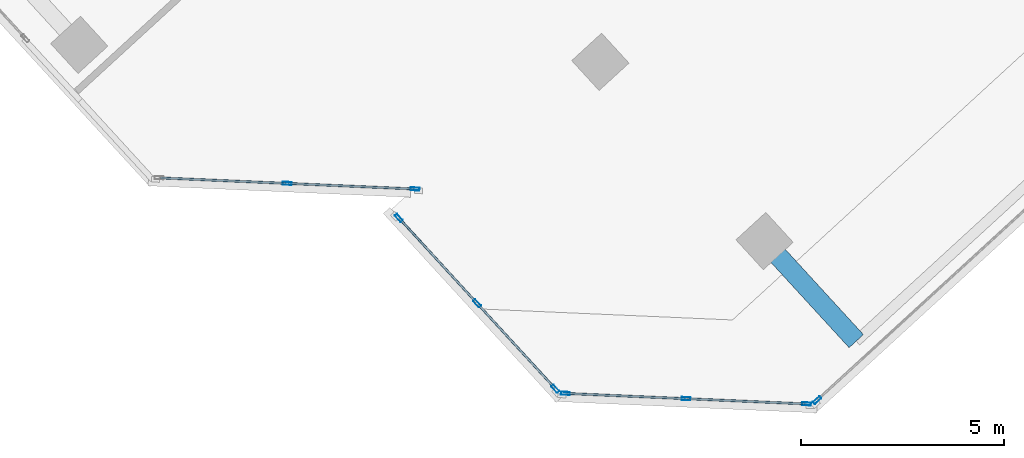
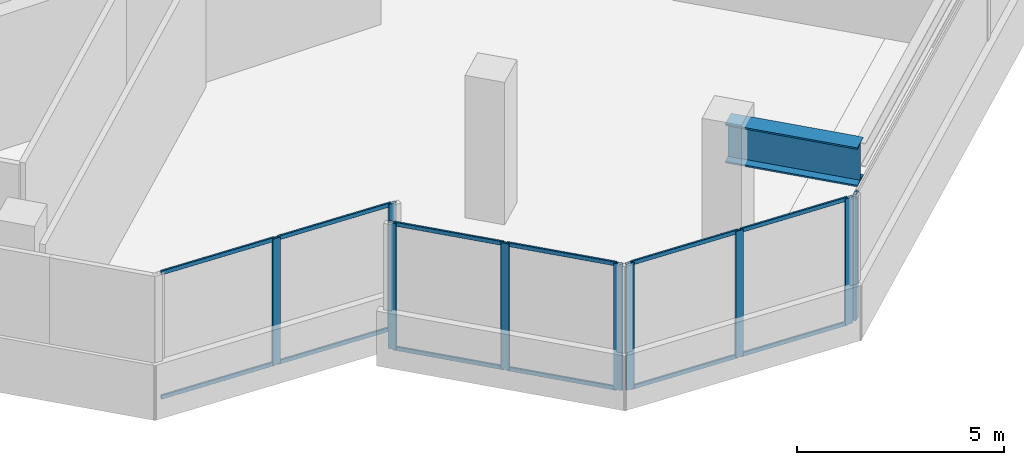
# One storey, part 3 of 18: 21 members, 1 beam, 4 elements without a shape of their own.
"""IFC4 building model written with IfcOpenShell, lengths in metres."""

from ifc_helpers import new_model, si_unit, direction, frame, origin, origin_2d, place, context, subcontext, project, spatial, hollow_rectangle, i_section, extrude, source, transform, mapped, material, material_profile, profile_set, type_object, element, aggregate, save


model = new_model("IFC4")

# Units and contexts
model_context = context("Model", 3, precision=1e-05, world=origin(), true_north=direction((0.0, 1.0)))
body_context = subcontext(model_context, "Body", "Model", "MODEL_VIEW")
ifc_project = project(units=[si_unit("LENGTHUNIT", "METRE"), si_unit("AREAUNIT", "SQUARE_METRE"), si_unit("VOLUMEUNIT", "CUBIC_METRE"), si_unit("PLANEANGLEUNIT", "RADIAN"), si_unit("MASSUNIT", "GRAM", prefix="KILO")], contexts=[model_context])

# Site, building, storey
site_placement = place(None, origin())
site = spatial("IfcSite", under=ifc_project, at=site_placement, CompositionType="ELEMENT")
building_placement = place(site_placement, origin())
building = spatial("IfcBuilding", under=site, at=building_placement, Name="Torre Montelarca", CompositionType="ELEMENT")
storey_placement = place(building_placement, frame((0.0, 0.0, 258.39990234375)))
storey = spatial("IfcBuildingStorey", under=building, at=storey_placement, Name="L58", CompositionType="ELEMENT", Elevation=258.39990234375)

# Beam
ifc_material_1 = material(Name="Steel ASTM A572 Grade 50", Category="steel")
ifc_material_profile_1 = material_profile(ifc_material_1, i_section(OverallWidth=0.47998046875, OverallDepth=1.14990234375, WebThickness=0.02197265625, FlangeThickness=0.044921875, at=origin_2d()), Name="PG1150X480X22X45", Category="steel")
ifc_profile_set_1 = profile_set([ifc_material_profile_1], Name="Steel ASTM A572 Grade 50")
beam_type = type_object("IfcBeamType", Name="BM-CG-PG1400-EXT", PredefinedType="USERDEFINED", material=ifc_profile_set_1)
shared_shape_1 = source(origin(), body_context, "Body", "SweptSolid", [
    extrude(i_section(OverallWidth=0.47998046875, OverallDepth=1.14990234375, WebThickness=0.02197265625, FlangeThickness=0.044921875, at=origin_2d()), origin(), (0.0, 0.0, 1.0), 3.35009765625),
])
beam_placement = place(storey_placement, frame((29.451416015625, 11.481201171875, 3.385009765625), z_axis=(0.675569509367, -0.737296302726, 0.0), x_axis=(0.737296302726, 0.675569509367, 0.0)))
element("IfcBeam", 1, at=beam_placement, inside=storey, type_object=beam_type, Name="L58 Sliding Tray Cantilever Girder East Y=24m (FLR)", ObjectType="CANTILEVER GIRDER", PredefinedType="USERDEFINED", context=body_context, shape_type="MappedRepresentation", body=[
    mapped(shared_shape_1, transform((0.0, 0.0, 0.0), scale=1.0)),
])

# Curtain wall, members
ifc_material_2 = material(Name="Insulated low-E laminated glass", Category="glass")
curtain_wall_type = type_object("IfcCurtainWallType", Name="CW-SYS-Z3", PredefinedType="USERDEFINED", material=ifc_material_2)
curtain_wall_1_placement = place(storey_placement, origin())
curtain_wall_1 = element("IfcCurtainWall", 2, at=curtain_wall_1_placement, inside=storey, type_object=curtain_wall_type, Name="L58 Curtain Wall Run CW-T3-L58-E02-B1", ObjectType="UNITISED GLAZING", PredefinedType="USERDEFINED")
ifc_material_3 = material(Name="Anodised aluminium AA 6063-T6", Category="aluminium")
ifc_material_profile_2 = material_profile(ifc_material_3, hollow_rectangle(XDim=0.054931640625, YDim=0.1201171875, WallThickness=0.00341796875, InnerFilletRadius=0.00341796875, OuterFilletRadius=0.007080078125, at=origin_2d()), Name="ALU55X120X3.5", Category="aluminium")
ifc_profile_set_2 = profile_set([ifc_material_profile_2], Name="Anodised aluminium AA 6063-T6")
member_type_1 = type_object("IfcMemberType", Name="CWT-ALU120", PredefinedType="USERDEFINED", material=ifc_profile_set_2)
shared_shape_2 = source(origin(), body_context, "Body", "SweptSolid", [
    extrude(hollow_rectangle(XDim=0.054931640625, YDim=0.1201171875, WallThickness=0.00341796875, InnerFilletRadius=0.00341796875, OuterFilletRadius=0.007080078125, at=origin_2d()), origin(), (0.0, 0.0, 1.0), 3.08740234375),
])
member_1_placement = place(storey_placement, frame((17.702880859375, 12.90283203125, 0.027587890625), z_axis=(0.999046885294, -0.043649982641, 0.0), x_axis=(0.043649982641, 0.999046885294, 0.0)))
member_1 = element("IfcMember", 3, at=member_1_placement, type_object=member_type_1, Name="CW transom 2.1", ObjectType="TRANSOM", PredefinedType="USERDEFINED", context=body_context, shape_type="MappedRepresentation", body=[
    mapped(shared_shape_2, transform((0.0, 0.0, 0.0), scale=1.0)),
])
member_2_placement = place(storey_placement, frame((17.702880859375, 12.90283203125, 3.692626953125), z_axis=(0.999046885294, -0.043649982641, 0.0), x_axis=(0.043649982641, 0.999046885294, 0.0)))
member_2 = element("IfcMember", 4, at=member_2_placement, type_object=member_type_1, Name="CW transom 2.2", ObjectType="TRANSOM", PredefinedType="USERDEFINED", context=body_context, shape_type="MappedRepresentation", body=[
    mapped(shared_shape_2, transform((0.0, 0.0, 0.0), scale=1.0)),
])

curtain_wall_2_placement = place(storey_placement, origin())
curtain_wall_2 = element("IfcCurtainWall", 5, at=curtain_wall_2_placement, inside=storey, type_object=curtain_wall_type, Name="L58 Curtain Wall Run CW-T3-L58-E05-B1", ObjectType="UNITISED GLAZING", PredefinedType="USERDEFINED")
shared_shape_3 = source(origin(), body_context, "Body", "SweptSolid", [
    extrude(hollow_rectangle(XDim=0.054931640625, YDim=0.1201171875, WallThickness=0.00341796875, InnerFilletRadius=0.00341796875, OuterFilletRadius=0.007080078125, at=origin_2d()), origin(), (0.0, 0.0, 1.0), 2.903564453125),
])
member_3_placement = place(storey_placement, frame((24.57373046875, 7.718994140625, 0.027587890625), z_axis=(0.999047412839, -0.043637906688, 0.0), x_axis=(0.043637906688, 0.999047412839, 0.0)))
member_3 = element("IfcMember", 6, at=member_3_placement, type_object=member_type_1, Name="CW transom 1.1", ObjectType="TRANSOM", PredefinedType="USERDEFINED", context=body_context, shape_type="MappedRepresentation", body=[
    mapped(shared_shape_3, transform((0.0, 0.0, 0.0), scale=1.0)),
])
member_4_placement = place(storey_placement, frame((24.57373046875, 7.718994140625, 3.692626953125), z_axis=(0.999047412839, -0.043637906688, 0.0), x_axis=(0.043637906688, 0.999047412839, 0.0)))
member_4 = element("IfcMember", 7, at=member_4_placement, type_object=member_type_1, Name="CW transom 1.2", ObjectType="TRANSOM", PredefinedType="USERDEFINED", context=body_context, shape_type="MappedRepresentation", body=[
    mapped(shared_shape_3, transform((0.0, 0.0, 0.0), scale=1.0)),
])
member_5_placement = place(storey_placement, frame((27.549560546875, 7.589111328125, 0.027587890625), z_axis=(0.999047412839, -0.043637906688, 0.0), x_axis=(0.043637906688, 0.999047412839, 0.0)))
member_5 = element("IfcMember", 8, at=member_5_placement, type_object=member_type_1, Name="CW transom 2.1", ObjectType="TRANSOM", PredefinedType="USERDEFINED", context=body_context, shape_type="MappedRepresentation", body=[
    mapped(shared_shape_3, transform((0.0, 0.0, 0.0), scale=1.0)),
])
member_6_placement = place(storey_placement, frame((27.549560546875, 7.589111328125, 3.692626953125), z_axis=(0.999047412839, -0.043637906688, 0.0), x_axis=(0.043637906688, 0.999047412839, 0.0)))
member_6 = element("IfcMember", 9, at=member_6_placement, type_object=member_type_1, Name="CW transom 2.2", ObjectType="TRANSOM", PredefinedType="USERDEFINED", context=body_context, shape_type="MappedRepresentation", body=[
    mapped(shared_shape_3, transform((0.0, 0.0, 0.0), scale=1.0)),
])

curtain_wall_3_placement = place(storey_placement, origin())
curtain_wall_3 = element("IfcCurtainWall", 10, at=curtain_wall_3_placement, inside=storey, type_object=curtain_wall_type, Name="L58 Curtain Wall Run CW-T3-L58-E04-B1", ObjectType="UNITISED GLAZING", PredefinedType="USERDEFINED")
shared_shape_4 = source(origin(), body_context, "Body", "SweptSolid", [
    extrude(hollow_rectangle(XDim=0.054931640625, YDim=0.1201171875, WallThickness=0.00341796875, InnerFilletRadius=0.00341796875, OuterFilletRadius=0.007080078125, at=origin_2d()), origin(), (0.0, 0.0, 1.0), 2.78369140625),
])
member_7_placement = place(storey_placement, frame((22.380126953125, 9.917236328125, 0.027587890625), z_axis=(0.675605470832, -0.737263350359, 0.0), x_axis=(0.737263350359, 0.675605470832, 0.0)))
member_7 = element("IfcMember", 11, at=member_7_placement, type_object=member_type_1, Name="CW transom 2.1", ObjectType="TRANSOM", PredefinedType="USERDEFINED", context=body_context, shape_type="MappedRepresentation", body=[
    mapped(shared_shape_4, transform((0.0, 0.0, 0.0), scale=1.0)),
])
member_8_placement = place(storey_placement, frame((22.380126953125, 9.917236328125, 3.692626953125), z_axis=(0.675605470832, -0.737263350359, 0.0), x_axis=(0.737263350359, 0.675605470832, 0.0)))
member_8 = element("IfcMember", 12, at=member_8_placement, type_object=member_type_1, Name="CW transom 2.2", ObjectType="TRANSOM", PredefinedType="USERDEFINED", context=body_context, shape_type="MappedRepresentation", body=[
    mapped(shared_shape_4, transform((0.0, 0.0, 0.0), scale=1.0)),
])

# Member
ifc_material_profile_3 = material_profile(ifc_material_3, hollow_rectangle(XDim=0.074951171875, YDim=0.219970703125, WallThickness=0.0048828125, InnerFilletRadius=0.0048828125, OuterFilletRadius=0.010009765625, at=origin_2d()), Name="ALU75X220X5", Category="aluminium")
ifc_profile_set_3 = profile_set([ifc_material_profile_3], Name="Anodised aluminium AA 6063-T6")
member_type_2 = type_object("IfcMemberType", Name="CWM-ALU220", PredefinedType="MULLION", material=ifc_profile_set_3)
shared_shape_5 = source(origin(), body_context, "Body", "SweptSolid", [
    extrude(hollow_rectangle(XDim=0.074951171875, YDim=0.219970703125, WallThickness=0.0048828125, InnerFilletRadius=0.0048828125, OuterFilletRadius=0.010009765625, at=origin_2d()), origin(), (0.0, 0.0, 1.0), 3.72021484375),
])
member_9_placement = place(storey_placement, frame((17.665283203125, 12.904296875, 0.0), z_axis=(0.0, 0.0, 1.0), x_axis=(0.043610133473, 0.999048625573, 0.0)))
member_9 = element("IfcMember", 13, at=member_9_placement, type_object=member_type_2, Name="CW mullion 2", PredefinedType="MULLION", context=body_context, shape_type="MappedRepresentation", body=[
    mapped(shared_shape_5, transform((0.0, 0.0, 0.0), scale=1.0)),
])

member_10_placement = place(storey_placement, frame((20.82470703125, 12.766357421875, 0.0), z_axis=(0.0, 0.0, 1.0), x_axis=(0.043610133473, 0.999048625573, 0.0)))
member_10 = element("IfcMember", 14, at=member_10_placement, type_object=member_type_2, Name="CW mullion 3", PredefinedType="MULLION", context=body_context, shape_type="MappedRepresentation", body=[
    mapped(shared_shape_5, transform((0.0, 0.0, 0.0), scale=1.0)),
])

member_11_placement = place(storey_placement, frame((20.423583984375, 12.052734375, 0.0), z_axis=(0.0, 0.0, 1.0), x_axis=(0.737293151819, 0.675572948157, 0.0)))
member_11 = element("IfcMember", 15, at=member_11_placement, type_object=member_type_2, Name="CW mullion 1", PredefinedType="MULLION", context=body_context, shape_type="MappedRepresentation", body=[
    mapped(shared_shape_5, transform((0.0, 0.0, 0.0), scale=1.0)),
])

member_12_placement = place(storey_placement, frame((22.354736328125, 9.945068359375, 0.0), z_axis=(0.0, 0.0, 1.0), x_axis=(0.737293151819, 0.675572948157, 0.0)))
member_12 = element("IfcMember", 16, at=member_12_placement, type_object=member_type_2, Name="CW mullion 2", PredefinedType="MULLION", context=body_context, shape_type="MappedRepresentation", body=[
    mapped(shared_shape_5, transform((0.0, 0.0, 0.0), scale=1.0)),
])

member_13_placement = place(storey_placement, frame((24.285888671875, 7.83740234375, 0.0), z_axis=(0.0, 0.0, 1.0), x_axis=(0.737293151819, 0.675572948157, 0.0)))
member_13 = element("IfcMember", 17, at=member_13_placement, type_object=member_type_2, Name="CW mullion 3", PredefinedType="MULLION", context=body_context, shape_type="MappedRepresentation", body=[
    mapped(shared_shape_5, transform((0.0, 0.0, 0.0), scale=1.0)),
])

member_14_placement = place(storey_placement, frame((24.536376953125, 7.720703125, 0.0), z_axis=(0.0, 0.0, 1.0), x_axis=(0.043615635968, 0.999048385364, 0.0)))
member_14 = element("IfcMember", 18, at=member_14_placement, type_object=member_type_2, Name="CW mullion 1", PredefinedType="MULLION", context=body_context, shape_type="MappedRepresentation", body=[
    mapped(shared_shape_5, transform((0.0, 0.0, 0.0), scale=1.0)),
])

member_15_placement = place(storey_placement, frame((27.51220703125, 7.5908203125, 0.0), z_axis=(0.0, 0.0, 1.0), x_axis=(0.043615635968, 0.999048385364, 0.0)))
member_15 = element("IfcMember", 19, at=member_15_placement, type_object=member_type_2, Name="CW mullion 2", PredefinedType="MULLION", context=body_context, shape_type="MappedRepresentation", body=[
    mapped(shared_shape_5, transform((0.0, 0.0, 0.0), scale=1.0)),
])

member_16_placement = place(storey_placement, frame((30.488037109375, 7.4609375, 0.0), z_axis=(0.0, 0.0, 1.0), x_axis=(0.043615635968, 0.999048385364, 0.0)))
member_16 = element("IfcMember", 20, at=member_16_placement, type_object=member_type_2, Name="CW mullion 3", PredefinedType="MULLION", context=body_context, shape_type="MappedRepresentation", body=[
    mapped(shared_shape_5, transform((0.0, 0.0, 0.0), scale=1.0)),
])

aggregate(curtain_wall_2, [member_14, member_15, member_16, member_3, member_4, member_5, member_6])

# Curtain wall, member
curtain_wall_4_placement = place(storey_placement, origin())
curtain_wall_4 = element("IfcCurtainWall", 21, at=curtain_wall_4_placement, inside=storey, type_object=curtain_wall_type, Name="L58 Curtain Wall Run CW-T3-L58-E06-B1", ObjectType="UNITISED GLAZING", PredefinedType="USERDEFINED")
member_17_placement = place(storey_placement, frame((30.74755859375, 7.555419921875, 0.0), z_axis=(0.0, 0.0, 1.0), x_axis=(-0.675587287841, 0.73728001228, 0.0)))
member_17 = element("IfcMember", 22, at=member_17_placement, type_object=member_type_2, Name="CW mullion 1", PredefinedType="MULLION", context=body_context, shape_type="MappedRepresentation", body=[
    mapped(shared_shape_5, transform((0.0, 0.0, 0.0), scale=1.0)),
])
aggregate(curtain_wall_4, [member_17])

# Member
shared_shape_6 = source(origin(), body_context, "Body", "SweptSolid", [
    extrude(hollow_rectangle(XDim=0.054931640625, YDim=0.1201171875, WallThickness=0.00341796875, InnerFilletRadius=0.00341796875, OuterFilletRadius=0.007080078125, at=origin_2d()), origin(), (0.0, 0.0, 1.0), 3.087646484375),
])
member_18_placement = place(storey_placement, frame((14.543212890625, 13.04052734375, 0.027587890625), z_axis=(0.99905048067, -0.043567614947, 0.0), x_axis=(0.043567614947, 0.99905048067, 0.0)))
member_18 = element("IfcMember", 23, at=member_18_placement, type_object=member_type_1, Name="CW transom 1.1", ObjectType="TRANSOM", PredefinedType="USERDEFINED", context=body_context, shape_type="MappedRepresentation", body=[
    mapped(shared_shape_6, transform((0.0, 0.0, 0.0), scale=1.0)),
])

member_19_placement = place(storey_placement, frame((14.543212890625, 13.04052734375, 3.692626953125), z_axis=(0.99905048067, -0.043567614947, 0.0), x_axis=(0.043567614947, 0.99905048067, 0.0)))
member_19 = element("IfcMember", 24, at=member_19_placement, type_object=member_type_1, Name="CW transom 1.2", ObjectType="TRANSOM", PredefinedType="USERDEFINED", context=body_context, shape_type="MappedRepresentation", body=[
    mapped(shared_shape_6, transform((0.0, 0.0, 0.0), scale=1.0)),
])

aggregate(curtain_wall_1, [member_9, member_10, member_18, member_19, member_1, member_2])

shared_shape_7 = source(origin(), body_context, "Body", "SweptSolid", [
    extrude(hollow_rectangle(XDim=0.054931640625, YDim=0.1201171875, WallThickness=0.00341796875, InnerFilletRadius=0.00341796875, OuterFilletRadius=0.007080078125, at=origin_2d()), origin(), (0.0, 0.0, 1.0), 2.783447265625),
])
member_20_placement = place(storey_placement, frame((20.448974609375, 12.02490234375, 0.027587890625), z_axis=(0.675557792928, -0.737307038088, 0.0), x_axis=(0.737307038088, 0.675557792928, 0.0)))
member_20 = element("IfcMember", 25, at=member_20_placement, type_object=member_type_1, Name="CW transom 1.1", ObjectType="TRANSOM", PredefinedType="USERDEFINED", context=body_context, shape_type="MappedRepresentation", body=[
    mapped(shared_shape_7, transform((0.0, 0.0, 0.0), scale=1.0)),
])

member_21_placement = place(storey_placement, frame((20.448974609375, 12.02490234375, 3.692626953125), z_axis=(0.675557792928, -0.737307038088, 0.0), x_axis=(0.737307038088, 0.675557792928, 0.0)))
member_21 = element("IfcMember", 26, at=member_21_placement, type_object=member_type_1, Name="CW transom 1.2", ObjectType="TRANSOM", PredefinedType="USERDEFINED", context=body_context, shape_type="MappedRepresentation", body=[
    mapped(shared_shape_7, transform((0.0, 0.0, 0.0), scale=1.0)),
])

aggregate(curtain_wall_3, [member_11, member_12, member_13, member_20, member_21, member_7, member_8])

save(model, "model.ifc")
